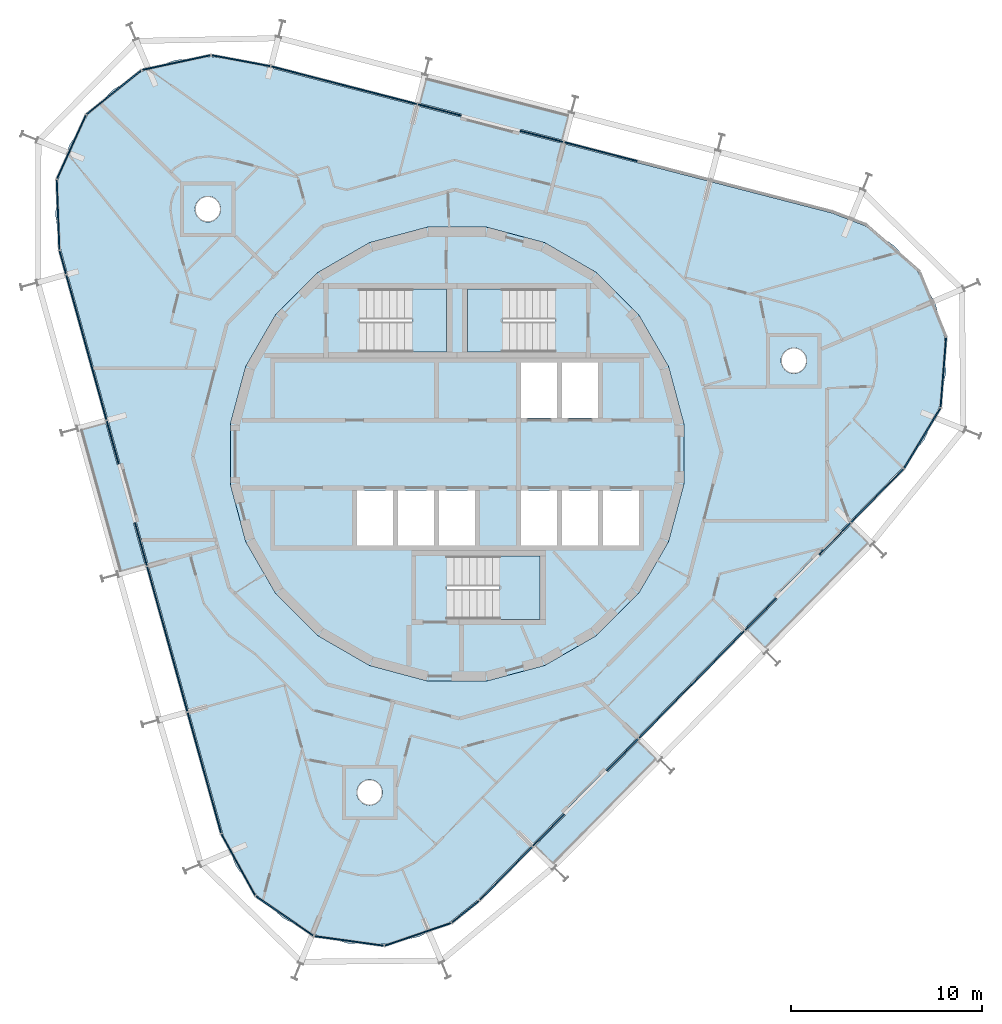
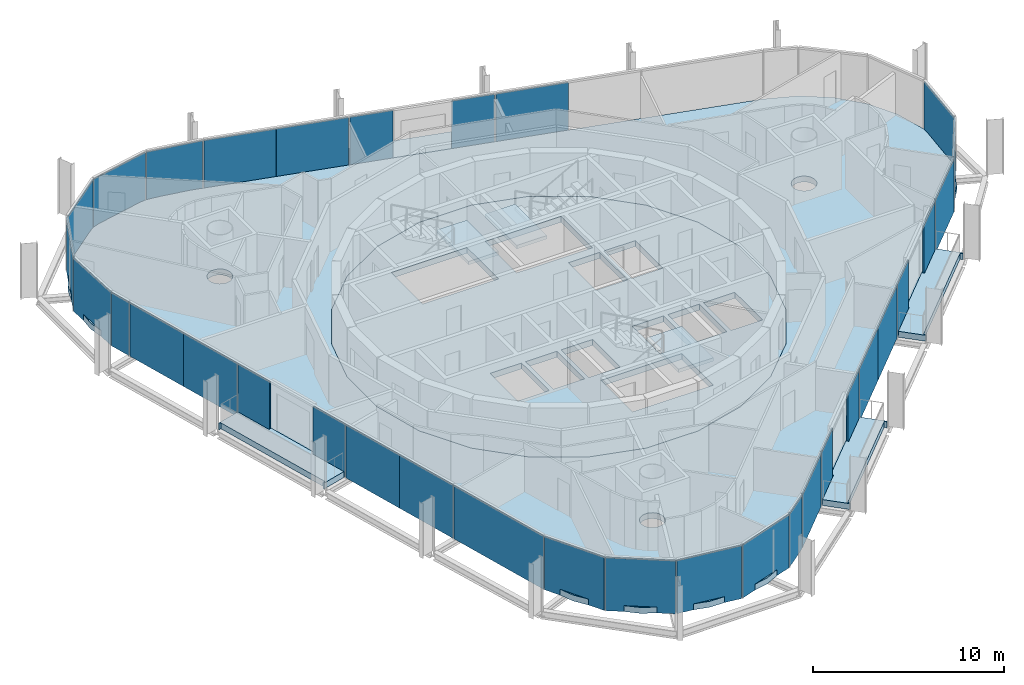
# One storey, part 8 of 15: 33 plates, 9 slabs, 9 elements without a shape of their own.
"""IFC4 building model written with IfcOpenShell, lengths in metres."""

from ifc_helpers import new_model, si_unit, direction, frame, origin, origin_2d, place, context, subcontext, project, spatial, polyline, rectangle, outline, extrude, material, layer, layer_set, type_object, element, aggregate, save


model = new_model("IFC4")

# Units and contexts
model_context = context("Model", 3, precision=1e-05, world=origin(), true_north=direction((0.0, 1.0)))
body_context = subcontext(model_context, "Body", "Model", "MODEL_VIEW")
ifc_project = project(units=[si_unit("LENGTHUNIT", "METRE"), si_unit("AREAUNIT", "SQUARE_METRE"), si_unit("VOLUMEUNIT", "CUBIC_METRE"), si_unit("PLANEANGLEUNIT", "RADIAN"), si_unit("MASSUNIT", "GRAM", prefix="KILO")], contexts=[model_context])

# Site, building, storey
site_placement = place(None, origin())
site = spatial("IfcSite", under=ifc_project, at=site_placement, CompositionType="ELEMENT")
building_placement = place(site_placement, origin())
building = spatial("IfcBuilding", under=site, at=building_placement, Name="Spindle Arch Residences", CompositionType="ELEMENT")
storey_placement = place(building_placement, frame((0.0, 0.0, 305.199951171875)))
storey = spatial("IfcBuildingStorey", under=building, at=storey_placement, Name="L78", CompositionType="ELEMENT", Elevation=305.199951171875)

# Slabs
ifc_material_1 = material(Name="Concrete C40/50", Category="concrete")
ifc_layer_1 = layer(ifc_material_1, 0.3798828125)
ifc_layer_set_1 = layer_set([ifc_layer_1], Name="Balcony slab 380")
slab_type_1 = type_object("IfcSlabType", Name="Balcony slab 380", PredefinedType="FLOOR", material=ifc_layer_set_1)
slab_1_placement = place(storey_placement, frame((0.0, 0.0, -0.3798828125)))
element("IfcSlab", 1, at=slab_1_placement, inside=storey, type_object=slab_type_1, Name="Balcony L78 bay 1", PredefinedType="FLOOR", context=body_context, shape_type="SweptSolid", body=[
    extrude(outline(polyline([(16.2529296875, -10.303955078125), (16.3056640625, -10.25048828125), (16.198486328125, -10.145263671875), (21.550048828125, -4.69970703125), (21.656982421875, -4.8046875), (21.709716796875, -4.751220703125), (20.64697265625, -3.70703125), (19.0400390625, -5.342041015625), (18.926025390625, -5.22998046875), (16.68310546875, -7.512451171875), (16.797119140625, -7.62451171875), (15.190185546875, -9.259521484375), (16.2529296875, -10.303955078125)])), origin(), (0.0, 0.0, 1.0), 0.3798828125),
])
slab_2_placement = place(storey_placement, frame((0.0, 0.0, -0.3798828125)))
element("IfcSlab", 2, at=slab_2_placement, inside=storey, type_object=slab_type_1, Name="Balcony L78 bay 7", PredefinedType="FLOOR", context=body_context, shape_type="SweptSolid", body=[
    extrude(outline(polyline([(5.918701171875, 17.903076171875), (5.845947265625, 17.921875), (5.808349609375, 17.776611328125), (-1.58349609375, 19.688232421875), (-1.5458984375, 19.83349609375), (-1.618408203125, 19.852294921875), (-1.99169921875, 18.40966796875), (0.22802734375, 17.835693359375), (0.187744140625, 17.6806640625), (3.285888671875, 16.879638671875), (3.325927734375, 17.034423828125), (5.54541015625, 16.46044921875), (5.918701171875, 17.903076171875)])), origin(), (0.0, 0.0, 1.0), 0.3798828125),
])
slab_3_placement = place(storey_placement, frame((0.0, 0.0, -0.3798828125)))
element("IfcSlab", 3, at=slab_3_placement, inside=storey, type_object=slab_type_1, Name="Balcony L78 bay 13", PredefinedType="FLOOR", context=body_context, shape_type="SweptSolid", body=[
    extrude(outline(polyline([(-19.87744140625, 1.271728515625), (-19.857421875, 1.199462890625), (-19.712890625, 1.23974609375), (-17.67236328125, -6.11767578125), (-17.81689453125, -6.157958984375), (-17.796875, -6.230224609375), (-16.361083984375, -5.83203125), (-16.973876953125, -3.622802734375), (-16.819580078125, -3.580078125), (-17.6748046875, -0.496337890625), (-17.828857421875, -0.5390625), (-18.441650390625, 1.669921875), (-19.87744140625, 1.271728515625)])), origin(), (0.0, 0.0, 1.0), 0.3798828125),
])
slab_4_placement = place(storey_placement, frame((0.0, 0.0, -0.3798828125)))
element("IfcSlab", 4, at=slab_4_placement, inside=storey, type_object=slab_type_1, Name="Balcony L78 bay 19", PredefinedType="FLOOR", context=body_context, shape_type="SweptSolid", body=[
    extrude(outline(polyline([(5.12939453125, -21.623291015625), (5.18212890625, -21.56982421875), (5.074951171875, -21.46484375), (10.426513671875, -16.01904296875), (10.533447265625, -16.124267578125), (10.586181640625, -16.07080078125), (9.5234375, -15.0263671875), (7.91650390625, -16.661376953125), (7.80224609375, -16.54931640625), (5.559326171875, -18.831787109375), (5.673583984375, -18.94384765625), (4.066650390625, -20.5791015625), (5.12939453125, -21.623291015625)])), origin(), (0.0, 0.0, 1.0), 0.3798828125),
])
ifc_material_2 = material(Name="Concrete C50/60", Category="concrete")
ifc_layer_2 = layer(ifc_material_2, 0.3798828125)
ifc_layer_set_2 = layer_set([ifc_layer_2], Name="Core floor slab 380")
slab_type_2 = type_object("IfcSlabType", Name="Core floor slab 380", PredefinedType="FLOOR", material=ifc_layer_set_2)
slab_5_placement = place(storey_placement, frame((0.0, 0.0, -0.3798828125)))
element("IfcSlab", 5, at=slab_5_placement, inside=storey, type_object=slab_type_2, Name="Core floor L78", PredefinedType="FLOOR", context=body_context, shape_type="SweptSolid", body=[
    extrude(outline(polyline([(1.56640625, -11.897216796875), (4.59228515625, -11.086669921875), (7.30517578125, -9.520263671875), (9.520263671875, -7.30517578125), (11.086669921875, -4.59228515625), (11.897216796875, -1.56640625), (11.897216796875, 1.56640625), (11.086669921875, 4.59228515625), (9.520263671875, 7.30517578125), (7.30517578125, 9.520263671875), (4.59228515625, 11.086669921875), (1.56640625, 11.897216796875), (-1.56640625, 11.897216796875), (-4.59228515625, 11.086669921875), (-7.30517578125, 9.520263671875), (-9.520263671875, 7.30517578125), (-11.086669921875, 4.59228515625), (-11.897216796875, 1.56640625), (-11.897216796875, -1.56640625), (-11.086669921875, -4.59228515625), (-9.520263671875, -7.30517578125), (-7.30517578125, -9.520263671875), (-4.59228515625, -11.086669921875), (-1.56640625, -11.897216796875), (1.56640625, -11.897216796875)]), holes=[polyline([(3.35009765625, 1.89990234375), (5.25, 1.89990234375), (5.25, 4.800048828125), (3.35009765625, 4.800048828125), (3.35009765625, 1.89990234375)]), polyline([(5.5, 1.89990234375), (7.39990234375, 1.89990234375), (7.39990234375, 4.800048828125), (5.5, 4.800048828125), (5.5, 1.89990234375)]), polyline([(-5.25, -4.800048828125), (-3.35009765625, -4.800048828125), (-3.35009765625, -1.89990234375), (-5.25, -1.89990234375), (-5.25, -4.800048828125)]), polyline([(-3.10009765625, -4.800048828125), (-1.199951171875, -4.800048828125), (-1.199951171875, -1.89990234375), (-3.10009765625, -1.89990234375), (-3.10009765625, -4.800048828125)]), polyline([(-0.949951171875, -4.800048828125), (0.949951171875, -4.800048828125), (0.949951171875, -1.89990234375), (-0.949951171875, -1.89990234375), (-0.949951171875, -4.800048828125)]), polyline([(3.35009765625, -4.800048828125), (5.25, -4.800048828125), (5.25, -1.89990234375), (3.35009765625, -1.89990234375), (3.35009765625, -4.800048828125)]), polyline([(5.5, -4.800048828125), (7.39990234375, -4.800048828125), (7.39990234375, -1.89990234375), (5.5, -1.89990234375), (5.5, -4.800048828125)]), polyline([(7.64990234375, -4.800048828125), (9.550048828125, -4.800048828125), (9.550048828125, -1.89990234375), (7.64990234375, -1.89990234375), (7.64990234375, -4.800048828125)]), polyline([(5.1298828125, 8.669921875), (0.550048828125, 8.669921875), (0.550048828125, 5.35009765625), (5.1298828125, 5.35009765625), (5.1298828125, 8.669921875)]), polyline([(-5.1298828125, 5.35009765625), (-0.550048828125, 5.35009765625), (-0.550048828125, 8.669921875), (-5.1298828125, 8.669921875), (-5.1298828125, 5.35009765625)]), polyline([(-0.530029296875, -8.669921875), (4.35009765625, -8.669921875), (4.35009765625, -5.35009765625), (-0.530029296875, -5.35009765625), (-0.530029296875, -8.669921875)])]), origin(), (0.0, 0.0, 1.0), 0.3798828125),
])

# Stair, slab
ifc_material_3 = material(Name="Concrete C50/60", Category="concrete")
stair_type = type_object("IfcStairType", Name="Exit stair 16 risers", PredefinedType="HALF_TURN_STAIR", material=ifc_material_3)
stair_1_placement = place(storey_placement, origin())
stair_1 = element("IfcStair", 6, at=stair_1_placement, inside=storey, type_object=stair_type, Name="L78 Exit stair ST1", PredefinedType="HALF_TURN_STAIR")
ifc_material_4 = material(Name="Concrete C50/60", Category="concrete")
ifc_layer_3 = layer(ifc_material_4, 0.219970703125)
ifc_layer_set_3 = layer_set([ifc_layer_3], Name="Exit stair landing 220")
slab_type_3 = type_object("IfcSlabType", Name="Exit stair landing 220", PredefinedType="LANDING", material=ifc_layer_set_3)
slab_6_placement = place(storey_placement, frame((0.0, 0.0, 1.530029296875)))
slab_6 = element("IfcSlab", 7, at=slab_6_placement, type_object=slab_type_3, Name="ST1 landing 1", PredefinedType="LANDING", context=body_context, shape_type="SweptSolid", body=[
    extrude(outline(polyline([(2.3701171875, 8.669921875), (0.550048828125, 8.669921875), (0.550048828125, 5.35009765625), (2.3701171875, 5.35009765625), (2.3701171875, 8.669921875)])), origin(), (0.0, 0.0, 1.0), 0.219970703125),
])
aggregate(stair_1, [slab_6])

stair_2_placement = place(storey_placement, origin())
stair_2 = element("IfcStair", 8, at=stair_2_placement, inside=storey, type_object=stair_type, Name="L78 Exit stair ST2", PredefinedType="HALF_TURN_STAIR")
slab_7_placement = place(storey_placement, frame((0.0, 0.0, 1.530029296875)))
slab_7 = element("IfcSlab", 9, at=slab_7_placement, type_object=slab_type_3, Name="ST2 landing 1", PredefinedType="LANDING", context=body_context, shape_type="SweptSolid", body=[
    extrude(outline(polyline([(-2.3701171875, 5.35009765625), (-0.550048828125, 5.35009765625), (-0.550048828125, 8.669921875), (-2.3701171875, 8.669921875), (-2.3701171875, 5.35009765625)])), origin(), (0.0, 0.0, 1.0), 0.219970703125),
])
aggregate(stair_2, [slab_7])

stair_3_placement = place(storey_placement, origin())
stair_3 = element("IfcStair", 10, at=stair_3_placement, inside=storey, type_object=stair_type, Name="L78 Exit stair ST3", PredefinedType="HALF_TURN_STAIR")
slab_8_placement = place(storey_placement, frame((0.0, 0.0, 1.530029296875)))
slab_8 = element("IfcSlab", 11, at=slab_8_placement, type_object=slab_type_3, Name="ST3 landing 1", PredefinedType="LANDING", context=body_context, shape_type="SweptSolid", body=[
    extrude(outline(polyline([(2.22998046875, -8.669921875), (4.35009765625, -8.669921875), (4.35009765625, -5.35009765625), (2.22998046875, -5.35009765625), (2.22998046875, -8.669921875)])), origin(), (0.0, 0.0, 1.0), 0.219970703125),
])
aggregate(stair_3, [slab_8])

# Slab
ifc_material_5 = material(Name="Concrete C40/50", Category="concrete")
ifc_layer_4 = layer(ifc_material_5, 0.3798828125)
ifc_layer_set_4 = layer_set([ifc_layer_4], Name="Floor slab 380")
slab_type_4 = type_object("IfcSlabType", Name="Floor slab 380", PredefinedType="FLOOR", material=ifc_layer_set_4)
slab_9_placement = place(storey_placement, frame((0.0, 0.0, -0.3798828125)))
element("IfcSlab", 12, at=slab_9_placement, inside=storey, type_object=slab_type_4, Name="Floor slab L78", PredefinedType="FLOOR", context=body_context, shape_type="SweptSolid", body=[
    extrude(outline(polyline([(-0.330078125, -24.517333984375), (-2.006591796875, -25.317138671875), (-3.822509765625, -25.70849609375), (-5.6796875, -25.6708984375), (-7.477783203125, -25.205810546875), (-9.12060546875, -24.33837890625), (-10.518798828125, -23.11572265625), (-11.597412109375, -21.603515625), (-12.29833984375, -19.88330078125), (-20.782470703125, 10.709228515625), (-21.067626953125, 12.544677734375), (-20.921875, 14.396484375), (-20.35302734375, 16.164794921875), (-19.3916015625, 17.754150390625), (-18.08984375, 19.078857421875), (-16.517333984375, 20.06787109375), (-14.759521484375, 20.66748046875), (-12.910400390625, 20.845458984375), (-11.0703125, 20.59228515625), (19.665771484375, 12.6435546875), (21.397705078125, 11.972900390625), (22.9287109375, 10.920654296875), (24.175537109375, 9.5439453125), (25.0712890625, 7.916748046875), (25.567626953125, 6.126708984375), (25.637939453125, 4.2705078125), (25.2783203125, 2.4482421875), (24.5078125, 0.758056640625), (23.36865234375, -0.708984375), (12.24267578125, -12.03076171875), (1.11669921875, -23.352783203125), (-0.330078125, -24.517333984375)]), holes=[polyline([(7.30517578125, -9.520263671875), (9.520263671875, -7.30517578125), (11.086669921875, -4.59228515625), (11.897216796875, -1.56640625), (11.897216796875, 1.56640625), (11.086669921875, 4.59228515625), (9.520263671875, 7.30517578125), (7.30517578125, 9.520263671875), (4.59228515625, 11.086669921875), (1.56640625, 11.897216796875), (-1.56640625, 11.897216796875), (-4.59228515625, 11.086669921875), (-7.30517578125, 9.520263671875), (-9.520263671875, 7.30517578125), (-11.086669921875, 4.59228515625), (-11.897216796875, 1.56640625), (-11.897216796875, -1.56640625), (-11.086669921875, -4.59228515625), (-9.520263671875, -7.30517578125), (-7.30517578125, -9.520263671875), (-4.59228515625, -11.086669921875), (-1.56640625, -11.897216796875), (1.56640625, -11.897216796875), (4.59228515625, -11.086669921875), (7.30517578125, -9.520263671875)]), polyline([(-4.028076171875, -18.120361328125), (-3.9658203125, -18.003662109375), (-3.92724609375, -17.877197265625), (-3.914306640625, -17.745361328125), (-3.92724609375, -17.61376953125), (-3.9658203125, -17.487060546875), (-4.028076171875, -17.370361328125), (-4.112060546875, -17.26806640625), (-4.21435546875, -17.18408203125), (-4.3310546875, -17.121826171875), (-4.45751953125, -17.08349609375), (-4.58935546875, -17.0703125), (-4.720947265625, -17.08349609375), (-4.84765625, -17.121826171875), (-4.96435546875, -17.18408203125), (-5.066650390625, -17.26806640625), (-5.150390625, -17.370361328125), (-5.212890625, -17.487060546875), (-5.251220703125, -17.61376953125), (-5.264404296875, -17.745361328125), (-5.251220703125, -17.877197265625), (-5.212890625, -18.003662109375), (-5.150390625, -18.120361328125), (-5.066650390625, -18.22265625), (-4.96435546875, -18.306640625), (-4.84765625, -18.368896484375), (-4.720947265625, -18.407470703125), (-4.58935546875, -18.42041015625), (-4.45751953125, -18.407470703125), (-4.3310546875, -18.368896484375), (-4.21435546875, -18.306640625), (-4.112060546875, -18.22265625), (-4.028076171875, -18.120361328125)]), polyline([(-12.595947265625, 12.369873046875), (-12.51220703125, 12.47216796875), (-12.44970703125, 12.5888671875), (-12.411376953125, 12.71533203125), (-12.398193359375, 12.84716796875), (-12.411376953125, 12.978759765625), (-12.44970703125, 13.10546875), (-12.51220703125, 13.22216796875), (-12.595947265625, 13.324462890625), (-12.6982421875, 13.408203125), (-12.81494140625, 13.470703125), (-12.941650390625, 13.509033203125), (-13.0732421875, 13.522216796875), (-13.205078125, 13.509033203125), (-13.33154296875, 13.470703125), (-13.4482421875, 13.408203125), (-13.550537109375, 13.324462890625), (-13.634521484375, 13.22216796875), (-13.697021484375, 13.10546875), (-13.7353515625, 12.978759765625), (-13.748291015625, 12.84716796875), (-13.7353515625, 12.71533203125), (-13.697021484375, 12.5888671875), (-13.634521484375, 12.47216796875), (-13.550537109375, 12.369873046875), (-13.4482421875, 12.285888671875), (-13.33154296875, 12.223388671875), (-13.205078125, 12.18505859375), (-13.0732421875, 12.172119140625), (-12.941650390625, 12.18505859375), (-12.81494140625, 12.223388671875), (-12.6982421875, 12.285888671875), (-12.595947265625, 12.369873046875)]), polyline([(18.139892578125, 4.4208984375), (18.223876953125, 4.523193359375), (18.2861328125, 4.639892578125), (18.32470703125, 4.7666015625), (18.337646484375, 4.898193359375), (18.32470703125, 5.030029296875), (18.2861328125, 5.156494140625), (18.223876953125, 5.273193359375), (18.139892578125, 5.37548828125), (18.03759765625, 5.45947265625), (17.9208984375, 5.52197265625), (17.794189453125, 5.560302734375), (17.66259765625, 5.5732421875), (17.531005859375, 5.560302734375), (17.404296875, 5.52197265625), (17.28759765625, 5.45947265625), (17.185302734375, 5.37548828125), (17.101318359375, 5.273193359375), (17.0390625, 5.156494140625), (17.00048828125, 5.030029296875), (16.987548828125, 4.898193359375), (17.00048828125, 4.7666015625), (17.0390625, 4.639892578125), (17.101318359375, 4.523193359375), (17.185302734375, 4.4208984375), (17.28759765625, 4.337158203125), (17.404296875, 4.274658203125), (17.531005859375, 4.236328125), (17.66259765625, 4.223388671875), (17.794189453125, 4.236328125), (17.9208984375, 4.274658203125), (18.03759765625, 4.337158203125), (18.139892578125, 4.4208984375)])]), origin(), (0.0, 0.0, 1.0), 0.3798828125),
])

# Curtain wall, plates
ifc_material_6 = material(Name="Aluminium bronze unitised frame with tinted glass", Category="aluminium")
ifc_layer_5 = layer(ifc_material_6, 0.159912109375)
ifc_layer_set_5 = layer_set([ifc_layer_5], Name="CW-D corner wall on the fillet arcs")
curtain_wall_type_1 = type_object("IfcCurtainWallType", Name="CW-D corner wall on the fillet arcs", PredefinedType="NOTDEFINED", material=ifc_layer_set_5)
curtain_wall_1_placement = place(storey_placement, origin())
curtain_wall_1 = element("IfcCurtainWall", 13, at=curtain_wall_1_placement, inside=storey, type_object=curtain_wall_type_1, Name="CW-D L78 run 1", PredefinedType="NOTDEFINED")
ifc_material_7 = material(Name="Tinted double glazing over non-combustible spandrel zone with 0.55 mm stainless steel cavity fire stop (K0)", Category="steel")
ifc_layer_6 = layer(ifc_material_7, 0.070068359375)
ifc_layer_set_6 = layer_set([ifc_layer_6], Name="Unitised glass panel with spandrel zone and stainless cavity fire stop")
plate_type = type_object("IfcPlateType", Name="Unitised glass panel with spandrel zone and stainless cavity fire stop", PredefinedType="CURTAIN_PANEL", material=ifc_layer_set_6)
plate_1_placement = place(storey_placement, frame((22.033935546875, -2.18115234375, -0.3798828125), z_axis=(0.0, 0.0, 1.0), x_axis=(0.7009092643, 0.713250449154, 0.0)))
plate_1 = element("IfcPlate", 14, at=plate_1_placement, type_object=plate_type, Name="CW-D unit 00", PredefinedType="CURTAIN_PANEL", context=body_context, shape_type="SweptSolid", body=[
    extrude(rectangle(XDim=3.910888671875, YDim=0.070068359375, at=origin_2d()), origin(), (0.0, 0.0, 1.0), 3.3798828125),
])
plate_2_placement = place(storey_placement, frame((24.39013671875, 0.829345703125, -0.3798828125), z_axis=(0.0, 0.0, 1.0), x_axis=(0.517529288252, 0.855665492936, 0.0)))
plate_2 = element("IfcPlate", 15, at=plate_2_placement, type_object=plate_type, Name="CW-D unit 01", PredefinedType="CURTAIN_PANEL", context=body_context, shape_type="SweptSolid", body=[
    extrude(rectangle(XDim=3.666748046875, YDim=0.070068359375, at=origin_2d()), origin(), (0.0, 0.0, 1.0), 3.3798828125),
])
plate_3_placement = place(storey_placement, frame((25.50048828125, 4.281494140625, -0.3798828125), z_axis=(0.0, 0.0, 1.0), x_axis=(0.078459091935, 0.996917334032, 0.0)))
plate_3 = element("IfcPlate", 16, at=plate_3_placement, type_object=plate_type, Name="CW-D unit 02", PredefinedType="CURTAIN_PANEL", context=body_context, shape_type="SweptSolid", body=[
    extrude(rectangle(XDim=3.666748046875, YDim=0.070068359375, at=origin_2d()), origin(), (0.0, 0.0, 1.0), 3.3798828125),
])
aggregate(curtain_wall_1, [plate_1, plate_2, plate_3])

ifc_material_8 = material(Name="Aluminium bronze unitised frame with tinted glass", Category="aluminium")
ifc_layer_7 = layer(ifc_material_8, 0.159912109375)
ifc_layer_set_7 = layer_set([ifc_layer_7], Name="CW-C typical residential unitised wall")
curtain_wall_type_2 = type_object("IfcCurtainWallType", Name="CW-C typical residential unitised wall", PredefinedType="NOTDEFINED", material=ifc_layer_set_7)
curtain_wall_2_placement = place(storey_placement, origin())
curtain_wall_2 = element("IfcCurtainWall", 17, at=curtain_wall_2_placement, inside=storey, type_object=curtain_wall_type_2, Name="CW-C L78 run 2", PredefinedType="NOTDEFINED")
plate_4_placement = place(storey_placement, frame((7.533203125, 15.86376953125, -0.3798828125), z_axis=(0.0, 0.0, 1.0), x_axis=(-0.968147640378, 0.250380004054, 0.0)))
plate_4 = element("IfcPlate", 18, at=plate_4_placement, type_object=plate_type, Name="CW-C unit 05B", PredefinedType="CURTAIN_PANEL", context=body_context, shape_type="SweptSolid", body=[
    extrude(rectangle(XDim=3.9375, YDim=0.070068359375, at=origin_2d()), origin(), (0.0, 0.0, 1.0), 3.3798828125),
])
plate_5_placement = place(storey_placement, frame((4.4375, 16.664306640625, -0.3798828125), z_axis=(0.0, 0.0, 1.0), x_axis=(-0.968147640378, 0.250380004054, 0.0)))
plate_5 = element("IfcPlate", 19, at=plate_5_placement, type_object=plate_type, Name="CW-C unit 06L", PredefinedType="CURTAIN_PANEL", context=body_context, shape_type="SweptSolid", body=[
    extrude(rectangle(XDim=2.337646484375, YDim=0.070068359375, at=origin_2d()), origin(), (0.0, 0.0, 1.0), 3.3798828125),
])
plate_6_placement = place(storey_placement, frame((-0.923583984375, 18.05078125, -0.3798828125), z_axis=(0.0, 0.0, 1.0), x_axis=(-0.968147640378, 0.250380004054, 0.0)))
plate_6 = element("IfcPlate", 20, at=plate_6_placement, type_object=plate_type, Name="CW-C unit 06R", PredefinedType="CURTAIN_PANEL", context=body_context, shape_type="SweptSolid", body=[
    extrude(rectangle(XDim=2.337646484375, YDim=0.070068359375, at=origin_2d()), origin(), (0.0, 0.0, 1.0), 3.3798828125),
])
plate_7_placement = place(storey_placement, frame((-4.019287109375, 18.8515625, -0.3798828125), z_axis=(0.0, 0.0, 1.0), x_axis=(-0.968147640378, 0.250380004054, 0.0)))
plate_7 = element("IfcPlate", 21, at=plate_7_placement, type_object=plate_type, Name="CW-C unit 07A", PredefinedType="CURTAIN_PANEL", context=body_context, shape_type="SweptSolid", body=[
    extrude(rectangle(XDim=3.9375, YDim=0.070068359375, at=origin_2d()), origin(), (0.0, 0.0, 1.0), 3.3798828125),
])
plate_8_placement = place(storey_placement, frame((-7.83154296875, 19.83740234375, -0.3798828125), z_axis=(0.0, 0.0, 1.0), x_axis=(-0.968147640378, 0.250380004054, 0.0)))
plate_8 = element("IfcPlate", 22, at=plate_8_placement, type_object=plate_type, Name="CW-C unit 07B", PredefinedType="CURTAIN_PANEL", context=body_context, shape_type="SweptSolid", body=[
    extrude(rectangle(XDim=3.9375, YDim=0.070068359375, at=origin_2d()), origin(), (0.0, 0.0, 1.0), 3.3798828125),
])
aggregate(curtain_wall_2, [plate_4, plate_5, plate_6, plate_7, plate_8])

curtain_wall_3_placement = place(storey_placement, origin())
curtain_wall_3 = element("IfcCurtainWall", 23, at=curtain_wall_3_placement, inside=storey, type_object=curtain_wall_type_1, Name="CW-D L78 run 3", PredefinedType="NOTDEFINED")
plate_9_placement = place(storey_placement, frame((-11.337646484375, 20.631591796875, -0.3798828125), z_axis=(0.0, 0.0, 1.0), x_axis=(-0.98295670176, 0.183837217301, 0.0)))
plate_9 = element("IfcPlate", 24, at=plate_9_placement, type_object=plate_type, Name="CW-D unit 00", PredefinedType="CURTAIN_PANEL", context=body_context, shape_type="SweptSolid", body=[
    extrude(rectangle(XDim=3.13671875, YDim=0.070068359375, at=origin_2d()), origin(), (0.0, 0.0, 1.0), 3.3798828125),
])
plate_10_placement = place(storey_placement, frame((-14.73046875, 20.53271484375, -0.3798828125), z_axis=(0.0, 0.0, 1.0), x_axis=(-0.977538671364, -0.210756129184, 0.0)))
plate_10 = element("IfcPlate", 25, at=plate_10_placement, type_object=plate_type, Name="CW-D unit 01", PredefinedType="CURTAIN_PANEL", context=body_context, shape_type="SweptSolid", body=[
    extrude(rectangle(XDim=3.666748046875, YDim=0.070068359375, at=origin_2d()), origin(), (0.0, 0.0, 1.0), 3.3798828125),
])
plate_11_placement = place(storey_placement, frame((-18.00341796875, 18.9716796875, -0.3798828125), z_axis=(0.0, 0.0, 1.0), x_axis=(-0.778973288411, -0.627057107401, 0.0)))
plate_11 = element("IfcPlate", 26, at=plate_11_placement, type_object=plate_type, Name="CW-D unit 02", PredefinedType="CURTAIN_PANEL", context=body_context, shape_type="SweptSolid", body=[
    extrude(rectangle(XDim=3.666748046875, YDim=0.070068359375, at=origin_2d()), origin(), (0.0, 0.0, 1.0), 3.3798828125),
])
plate_12_placement = place(storey_placement, frame((-20.2275390625, 16.107421875, -0.3798828125), z_axis=(0.0, 0.0, 1.0), x_axis=(-0.414693245896, -0.9099612694, 0.0)))
plate_12 = element("IfcPlate", 27, at=plate_12_placement, type_object=plate_type, Name="CW-D unit 03", PredefinedType="CURTAIN_PANEL", context=body_context, shape_type="SweptSolid", body=[
    extrude(rectangle(XDim=3.666748046875, YDim=0.070068359375, at=origin_2d()), origin(), (0.0, 0.0, 1.0), 3.3798828125),
])
plate_13_placement = place(storey_placement, frame((-20.929931640625, 12.5498046875, -0.3798828125), z_axis=(0.0, 0.0, 1.0), x_axis=(0.037806455536, -0.999285080405, 0.0)))
plate_13 = element("IfcPlate", 28, at=plate_13_placement, type_object=plate_type, Name="CW-D unit 04", PredefinedType="CURTAIN_PANEL", context=body_context, shape_type="SweptSolid", body=[
    extrude(rectangle(XDim=3.666748046875, YDim=0.070068359375, at=origin_2d()), origin(), (0.0, 0.0, 1.0), 3.3798828125),
])
plate_14_placement = place(storey_placement, frame((-20.682373046875, 10.049072265625, -0.3798828125), z_axis=(0.0, 0.0, 1.0), x_axis=(0.267238376078, -0.963630453209, 0.0)))
plate_14 = element("IfcPlate", 29, at=plate_14_placement, type_object=plate_type, Name="CW-D unit 05", PredefinedType="CURTAIN_PANEL", context=body_context, shape_type="SweptSolid", body=[
    extrude(rectangle(XDim=1.265869140625, YDim=0.070068359375, at=origin_2d()), origin(), (0.0, 0.0, 1.0), 3.3798828125),
])
aggregate(curtain_wall_3, [plate_9, plate_10, plate_11, plate_12, plate_13, plate_14])

curtain_wall_4_placement = place(storey_placement, origin())
curtain_wall_4 = element("IfcCurtainWall", 30, at=curtain_wall_4_placement, inside=storey, type_object=curtain_wall_type_2, Name="CW-C L78 run 4", PredefinedType="NOTDEFINED")
plate_15_placement = place(storey_placement, frame((-19.970947265625, 7.484130859375, -0.3798828125), z_axis=(0.0, 0.0, 1.0), x_axis=(0.267238376078, -0.963630453209, 0.0)))
plate_15 = element("IfcPlate", 31, at=plate_15_placement, type_object=plate_type, Name="CW-C unit 11A", PredefinedType="CURTAIN_PANEL", context=body_context, shape_type="SweptSolid", body=[
    extrude(rectangle(XDim=3.9375, YDim=0.070068359375, at=origin_2d()), origin(), (0.0, 0.0, 1.0), 3.3798828125),
])
plate_16_placement = place(storey_placement, frame((-18.918701171875, 3.689697265625, -0.3798828125), z_axis=(0.0, 0.0, 1.0), x_axis=(0.267238376078, -0.963630453209, 0.0)))
plate_16 = element("IfcPlate", 32, at=plate_16_placement, type_object=plate_type, Name="CW-C unit 11B", PredefinedType="CURTAIN_PANEL", context=body_context, shape_type="SweptSolid", body=[
    extrude(rectangle(XDim=3.9375, YDim=0.070068359375, at=origin_2d()), origin(), (0.0, 0.0, 1.0), 3.3798828125),
])
plate_17_placement = place(storey_placement, frame((-18.064208984375, 0.6083984375, -0.3798828125), z_axis=(0.0, 0.0, 1.0), x_axis=(0.267238376078, -0.963630453209, 0.0)))
plate_17 = element("IfcPlate", 33, at=plate_17_placement, type_object=plate_type, Name="CW-C unit 12L", PredefinedType="CURTAIN_PANEL", context=body_context, shape_type="SweptSolid", body=[
    extrude(rectangle(XDim=2.337646484375, YDim=0.070068359375, at=origin_2d()), origin(), (0.0, 0.0, 1.0), 3.3798828125),
])
plate_18_placement = place(storey_placement, frame((-16.58447265625, -4.727783203125, -0.3798828125), z_axis=(0.0, 0.0, 1.0), x_axis=(0.267238376078, -0.963630453209, 0.0)))
plate_18 = element("IfcPlate", 34, at=plate_18_placement, type_object=plate_type, Name="CW-C unit 12R", PredefinedType="CURTAIN_PANEL", context=body_context, shape_type="SweptSolid", body=[
    extrude(rectangle(XDim=2.337646484375, YDim=0.070068359375, at=origin_2d()), origin(), (0.0, 0.0, 1.0), 3.3798828125),
])
plate_19_placement = place(storey_placement, frame((-15.72998046875, -7.808837890625, -0.3798828125), z_axis=(0.0, 0.0, 1.0), x_axis=(0.267238376078, -0.963630453209, 0.0)))
plate_19 = element("IfcPlate", 35, at=plate_19_placement, type_object=plate_type, Name="CW-C unit 13A", PredefinedType="CURTAIN_PANEL", context=body_context, shape_type="SweptSolid", body=[
    extrude(rectangle(XDim=3.9375, YDim=0.070068359375, at=origin_2d()), origin(), (0.0, 0.0, 1.0), 3.3798828125),
])
plate_20_placement = place(storey_placement, frame((-14.677490234375, -11.603271484375, -0.3798828125), z_axis=(0.0, 0.0, 1.0), x_axis=(0.267238376078, -0.963630453209, 0.0)))
plate_20 = element("IfcPlate", 36, at=plate_20_placement, type_object=plate_type, Name="CW-C unit 13B", PredefinedType="CURTAIN_PANEL", context=body_context, shape_type="SweptSolid", body=[
    extrude(rectangle(XDim=3.9375, YDim=0.070068359375, at=origin_2d()), origin(), (0.0, 0.0, 1.0), 3.3798828125),
])
aggregate(curtain_wall_4, [plate_15, plate_16, plate_17, plate_18, plate_19, plate_20])

curtain_wall_5_placement = place(storey_placement, origin())
curtain_wall_5 = element("IfcCurtainWall", 37, at=curtain_wall_5_placement, inside=storey, type_object=curtain_wall_type_1, Name="CW-D L78 run 5", PredefinedType="NOTDEFINED")
plate_21_placement = place(storey_placement, frame((-13.259521484375, -16.717041015625, -0.3798828125), z_axis=(0.0, 0.0, 1.0), x_axis=(0.267238376078, -0.963630453209, 0.0)))
plate_21 = element("IfcPlate", 38, at=plate_21_placement, type_object=plate_type, Name="CW-D unit 00", PredefinedType="CURTAIN_PANEL", context=body_context, shape_type="SweptSolid", body=[
    extrude(rectangle(XDim=6.555908203125, YDim=0.070068359375, at=origin_2d()), origin(), (0.0, 0.0, 1.0), 3.3798828125),
])
plate_22_placement = place(storey_placement, frame((-11.476806640625, -21.537109375, -0.3798828125), z_axis=(0.0, 0.0, 1.0), x_axis=(0.482263404731, -0.876026260142, 0.0)))
plate_22 = element("IfcPlate", 39, at=plate_22_placement, type_object=plate_type, Name="CW-D unit 01", PredefinedType="CURTAIN_PANEL", context=body_context, shape_type="SweptSolid", body=[
    extrude(rectangle(XDim=3.666748046875, YDim=0.070068359375, at=origin_2d()), origin(), (0.0, 0.0, 1.0), 3.3798828125),
])
plate_23_placement = place(storey_placement, frame((-9.04248046875, -24.224853515625, -0.3798828125), z_axis=(0.0, 0.0, 1.0), x_axis=(0.824126188573, -0.566406236997, 0.0)))
plate_23 = element("IfcPlate", 40, at=plate_23_placement, type_object=plate_type, Name="CW-D unit 02", PredefinedType="CURTAIN_PANEL", context=body_context, shape_type="SweptSolid", body=[
    extrude(rectangle(XDim=3.666748046875, YDim=0.070068359375, at=origin_2d()), origin(), (0.0, 0.0, 1.0), 3.3798828125),
])
plate_24_placement = place(storey_placement, frame((-5.660888671875, -25.5341796875, -0.3798828125), z_axis=(0.0, 0.0, 1.0), x_axis=(0.99066871764, -0.136291936259, 0.0)))
plate_24 = element("IfcPlate", 41, at=plate_24_placement, type_object=plate_type, Name="CW-D unit 03", PredefinedType="CURTAIN_PANEL", context=body_context, shape_type="SweptSolid", body=[
    extrude(rectangle(XDim=3.666748046875, YDim=0.070068359375, at=origin_2d()), origin(), (0.0, 0.0, 1.0), 3.3798828125),
])
plate_25_placement = place(storey_placement, frame((-2.05126953125, -25.186767578125, -0.3798828125), z_axis=(0.0, 0.0, 1.0), x_axis=(0.946461612616, 0.322816381002, 0.0)))
plate_25 = element("IfcPlate", 42, at=plate_25_placement, type_object=plate_type, Name="CW-D unit 04", PredefinedType="CURTAIN_PANEL", context=body_context, shape_type="SweptSolid", body=[
    extrude(rectangle(XDim=3.666748046875, YDim=0.070068359375, at=origin_2d()), origin(), (0.0, 0.0, 1.0), 3.3798828125),
])
plate_26_placement = place(storey_placement, frame((0.443115234375, -23.9970703125, -0.3798828125), z_axis=(0.0, 0.0, 1.0), x_axis=(0.778973292636, 0.627057102153, 0.0)))
plate_26 = element("IfcPlate", 43, at=plate_26_placement, type_object=plate_type, Name="CW-D unit 05", PredefinedType="CURTAIN_PANEL", context=body_context, shape_type="SweptSolid", body=[
    extrude(rectangle(XDim=1.816162109375, YDim=0.070068359375, at=origin_2d()), origin(), (0.0, 0.0, 1.0), 3.3798828125),
])
plate_27_placement = place(storey_placement, frame((2.5654296875, -21.99267578125, -0.3798828125), z_axis=(0.0, 0.0, 1.0), x_axis=(0.7009092643, 0.713250449154, 0.0)))
plate_27 = element("IfcPlate", 44, at=plate_27_placement, type_object=plate_type, Name="CW-D unit 06", PredefinedType="CURTAIN_PANEL", context=body_context, shape_type="SweptSolid", body=[
    extrude(rectangle(XDim=3.910888671875, YDim=0.070068359375, at=origin_2d()), origin(), (0.0, 0.0, 1.0), 3.3798828125),
])
aggregate(curtain_wall_5, [plate_21, plate_22, plate_23, plate_24, plate_25, plate_26, plate_27])

curtain_wall_6_placement = place(storey_placement, origin())
curtain_wall_6 = element("IfcCurtainWall", 45, at=curtain_wall_6_placement, inside=storey, type_object=curtain_wall_type_2, Name="CW-C L78 run 6", PredefinedType="NOTDEFINED")
plate_28_placement = place(storey_placement, frame((4.79736328125, -19.721435546875, -0.3798828125), z_axis=(0.0, 0.0, 1.0), x_axis=(0.7009092643, 0.713250449154, 0.0)))
plate_28 = element("IfcPlate", 46, at=plate_28_placement, type_object=plate_type, Name="CW-C unit 18L", PredefinedType="CURTAIN_PANEL", context=body_context, shape_type="SweptSolid", body=[
    extrude(rectangle(XDim=2.337646484375, YDim=0.070068359375, at=origin_2d()), origin(), (0.0, 0.0, 1.0), 3.3798828125),
])
plate_29_placement = place(storey_placement, frame((8.6787109375, -15.771728515625, -0.3798828125), z_axis=(0.0, 0.0, 1.0), x_axis=(0.7009092643, 0.713250449154, 0.0)))
plate_29 = element("IfcPlate", 47, at=plate_29_placement, type_object=plate_type, Name="CW-C unit 18R", PredefinedType="CURTAIN_PANEL", context=body_context, shape_type="SweptSolid", body=[
    extrude(rectangle(XDim=2.337646484375, YDim=0.070068359375, at=origin_2d()), origin(), (0.0, 0.0, 1.0), 3.3798828125),
])
plate_30_placement = place(storey_placement, frame((10.919921875, -13.4912109375, -0.3798828125), z_axis=(0.0, 0.0, 1.0), x_axis=(0.7009092643, 0.713250449154, 0.0)))
plate_30 = element("IfcPlate", 48, at=plate_30_placement, type_object=plate_type, Name="CW-C unit 19A", PredefinedType="CURTAIN_PANEL", context=body_context, shape_type="SweptSolid", body=[
    extrude(rectangle(XDim=3.9375, YDim=0.070068359375, at=origin_2d()), origin(), (0.0, 0.0, 1.0), 3.3798828125),
])
plate_31_placement = place(storey_placement, frame((13.6796875, -10.6826171875, -0.3798828125), z_axis=(0.0, 0.0, 1.0), x_axis=(0.7009092643, 0.713250449154, 0.0)))
plate_31 = element("IfcPlate", 49, at=plate_31_placement, type_object=plate_type, Name="CW-C unit 19B", PredefinedType="CURTAIN_PANEL", context=body_context, shape_type="SweptSolid", body=[
    extrude(rectangle(XDim=3.9375, YDim=0.070068359375, at=origin_2d()), origin(), (0.0, 0.0, 1.0), 3.3798828125),
])
plate_32_placement = place(storey_placement, frame((15.9208984375, -8.402099609375, -0.3798828125), z_axis=(0.0, 0.0, 1.0), x_axis=(0.7009092643, 0.713250449154, 0.0)))
plate_32 = element("IfcPlate", 50, at=plate_32_placement, type_object=plate_type, Name="CW-C unit 00L", PredefinedType="CURTAIN_PANEL", context=body_context, shape_type="SweptSolid", body=[
    extrude(rectangle(XDim=2.337646484375, YDim=0.070068359375, at=origin_2d()), origin(), (0.0, 0.0, 1.0), 3.3798828125),
])
plate_33_placement = place(storey_placement, frame((19.80224609375, -4.452392578125, -0.3798828125), z_axis=(0.0, 0.0, 1.0), x_axis=(0.7009092643, 0.713250449154, 0.0)))
plate_33 = element("IfcPlate", 51, at=plate_33_placement, type_object=plate_type, Name="CW-C unit 00R", PredefinedType="CURTAIN_PANEL", context=body_context, shape_type="SweptSolid", body=[
    extrude(rectangle(XDim=2.337646484375, YDim=0.070068359375, at=origin_2d()), origin(), (0.0, 0.0, 1.0), 3.3798828125),
])
aggregate(curtain_wall_6, [plate_28, plate_29, plate_30, plate_31, plate_32, plate_33])

save(model, "model.ifc")
